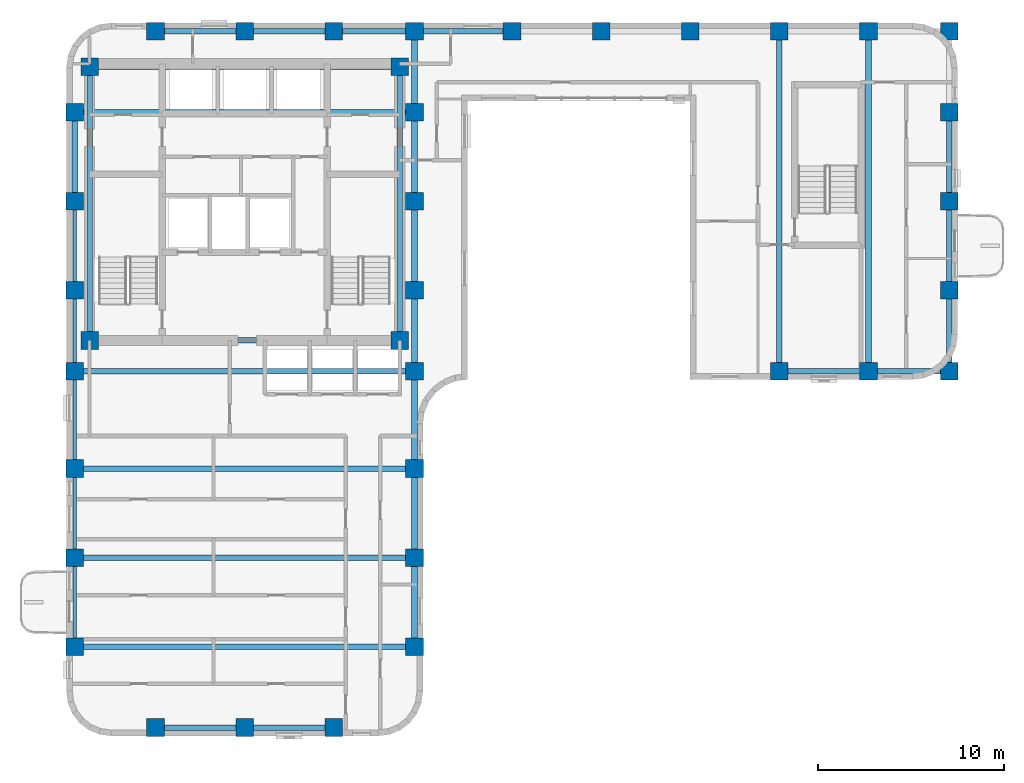
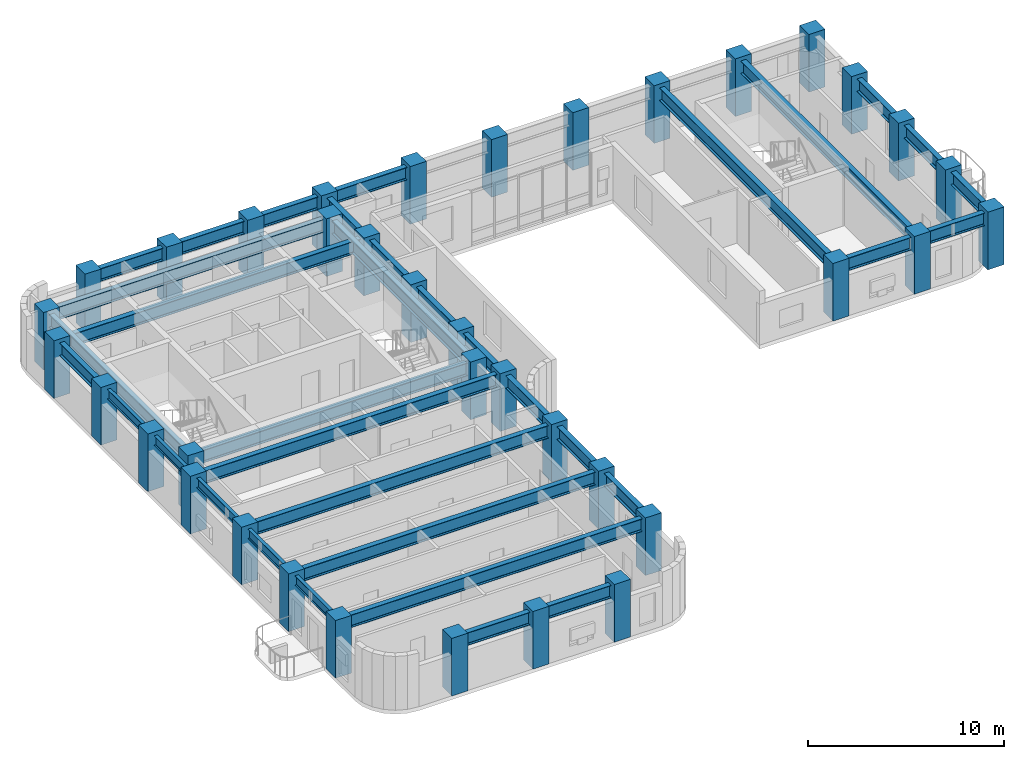
# One storey, part 1 of 11: 37 columns, 35 beams.
"""IFC4 building model written with IfcOpenShell, lengths in metres."""

from ifc_helpers import new_model, si_unit, direction, frame, origin, origin_2d, place, context, subcontext, project, spatial, rectangle, i_section, extrude, material, material_profile, profile_set, type_object, element, save


model = new_model("IFC4")

# Units and contexts
model_context = context("Model", 3, precision=1e-05, world=origin(), true_north=direction((0.0, 1.0)))
body_context = subcontext(model_context, "Body", "Model", "MODEL_VIEW")
ifc_project = project(units=[si_unit("LENGTHUNIT", "METRE"), si_unit("AREAUNIT", "SQUARE_METRE"), si_unit("VOLUMEUNIT", "CUBIC_METRE"), si_unit("PLANEANGLEUNIT", "RADIAN"), si_unit("MASSUNIT", "GRAM", prefix="KILO")], contexts=[model_context])

# Site, building, storey
site_placement = place(None, origin())
site = spatial("IfcSite", under=ifc_project, at=site_placement, CompositionType="ELEMENT")
building_placement = place(site_placement, origin())
building = spatial("IfcBuilding", under=site, at=building_placement, Name="Orvandelia Arch Residences", CompositionType="ELEMENT")
storey_placement = place(building_placement, frame((0.0, 0.0, 161.199951171875)))
storey = spatial("IfcBuildingStorey", under=building, at=storey_placement, Name="L42", CompositionType="ELEMENT", Elevation=161.199951171875)

# Columns
ifc_material_1 = material(Name="Concrete C60/75", Category="concrete")
ifc_material_profile_1 = material_profile(ifc_material_1, rectangle(XDim=0.949951171875, YDim=0.949951171875, at=origin_2d()), Name="Concrete C60/75", Category="concrete")
ifc_profile_set_1 = profile_set([ifc_material_profile_1], Name="Concrete C60/75")
column_type = type_object("IfcColumnType", Name="COL-TWR-950", PredefinedType="COLUMN", material=ifc_profile_set_1)
for number, where, z_axis, x_axis, name in (
    (1, (5.25, 14.39990234375, 0.0), (0.0, 0.0, 1.0), (1.0, 0.0, 0.0), "Structural Column L42-W-W-144"),
    (2, (5.25, 19.199951171875, 0.0), (0.0, 0.0, 1.0), (1.0, 0.0, 0.0), "Structural Column L42-W-W-192"),
    (3, (5.25, 24.0, 0.0), (0.0, 0.0, 1.0), (1.0, 0.0, 0.0), "Structural Column L42-W-W-240"),
    (4, (5.25, 29.25, 0.0), (0.0, 0.0, 1.0), (1.0, 0.0, 0.0), "Structural Column L42-W-W-292"),
    (5, (5.25, 33.60009765625, 0.0), (0.0, 0.0, 1.0), (1.0, 0.0, 0.0), "Structural Column L42-W-W-336"),
    (6, (5.25, 38.39990234375, 0.0), (0.0, 0.0, 1.0), (1.0, 0.0, 0.0), "Structural Column L42-W-W-384"),
    (7, (5.25, 43.199951171875, 0.0), (0.0, 0.0, 1.0), (1.0, 0.0, 0.0), "Structural Column L42-W-W-432"),
    (8, (6.050048828125, 30.89990234375, 0.0), (0.0, 0.0, 1.0), (1.0, 0.0, 0.0), "Structural Column L42-CR-SW"),
    (9, (6.050048828125, 45.64990234375, 0.0), (0.0, 0.0, 1.0), (1.0, 0.0, 0.0), "Structural Column L42-CR-NW"),
    (10, (9.60009765625, 10.050048828125, 0.0), (0.0, 0.0, 1.0), (1.0, 0.0, 0.0), "Structural Column L42-W-S-96"),
    (11, (9.60009765625, 47.550048828125, 0.0), (0.0, 0.0, 1.0), (1.0, 0.0, 0.0), "Structural Column L42-W-N-96"),
    (12, (14.39990234375, 10.050048828125, 0.0), (0.0, 0.0, 1.0), (1.0, 0.0, 0.0), "Structural Column L42-W-S-144"),
    (13, (14.39990234375, 47.550048828125, 0.0), (0.0, 0.0, 1.0), (1.0, 0.0, 0.0), "Structural Column L42-W-N-144"),
    (14, (19.199951171875, 10.050048828125, 0.0), (0.0, 0.0, 1.0), (1.0, 0.0, 0.0), "Structural Column L42-W-S-192"),
    (15, (19.199951171875, 47.550048828125, 0.0), (0.0, 0.0, 1.0), (1.0, 0.0, 0.0), "Structural Column L42-W-N-192"),
    (16, (22.75, 30.89990234375, 0.0), (0.0, 0.0, 1.0), (1.0, 0.0, 0.0), "Structural Column L42-CR-SE"),
    (17, (22.75, 45.64990234375, 0.0), (0.0, 0.0, 1.0), (1.0, 0.0, 0.0), "Structural Column L42-CR-NE"),
    (18, (23.550048828125, 14.39990234375, 0.0), (0.0, 0.0, 1.0), (1.0, 0.0, 0.0), "Structural Column L42-W-E-144"),
    (19, (23.550048828125, 19.199951171875, 0.0), (0.0, 0.0, 1.0), (1.0, 0.0, 0.0), "Structural Column L42-W-E-192"),
    (20, (23.550048828125, 24.0, 0.0), (0.0, 0.0, 1.0), (1.0, 0.0, 0.0), "Structural Column L42-W-E-240"),
    (21, (23.550048828125, 29.25, 0.0), (0.0, 0.0, 1.0), (1.0, 0.0, 0.0), "Structural Column L42-W-E-292"),
    (22, (23.550048828125, 33.60009765625, 0.0), (0.0, 0.0, 1.0), (1.0, 0.0, 0.0), "Structural Column L42-W-E-336"),
    (23, (23.550048828125, 38.39990234375, 0.0), (0.0, 0.0, 1.0), (1.0, 0.0, 0.0), "Structural Column L42-W-E-384"),
    (24, (23.550048828125, 43.199951171875, 0.0), (0.0, 0.0, 1.0), (1.0, 0.0, 0.0), "Structural Column L42-W-E-432"),
    (25, (23.550048828125, 47.550048828125, 0.0), (0.0, 0.0, 1.0), (1.0, 0.0, 0.0), "Structural Column L42-W-N-235"),
    (26, (28.800048828125, 47.550048828125, 0.0), (0.0, 0.0, 1.0), (1.0, 0.0, 0.0), "Structural Column L42-E-N-288"),
    (27, (33.60009765625, 47.550048828125, 0.0), (0.0, 0.0, 1.0), (1.0, 0.0, 0.0), "Structural Column L42-E-N-336"),
    (28, (38.39990234375, 47.550048828125, 0.0), (0.0, 0.0, 1.0), (1.0, 0.0, 0.0), "Structural Column L42-E-N-384"),
    (29, (43.199951171875, 29.25, 0.0), (0.0, 0.0, 1.0), (1.0, 0.0, 0.0), "Structural Column L42-E-S-432"),
    (30, (43.199951171875, 47.550048828125, 0.0), (0.0, 0.0, 1.0), (1.0, 0.0, 0.0), "Structural Column L42-E-N-432"),
    (31, (48.0, 29.25, 0.0), (0.0, 0.0, 1.0), (1.0, 0.0, 0.0), "Structural Column L42-E-S-480"),
    (32, (48.0, 47.550048828125, 0.0), (0.0, 0.0, 1.0), (1.0, 0.0, 0.0), "Structural Column L42-E-N-480"),
    (33, (52.35009765625, 29.25, 0.0), (0.0, 0.0, 1.0), (1.0, 0.0, 0.0), "Structural Column L42-E-S-523"),
    (34, (52.35009765625, 33.60009765625, 0.0), (0.0, 0.0, 1.0), (1.0, 0.0, 0.0), "Structural Column L42-E-523-336"),
    (35, (52.35009765625, 38.39990234375, 0.0), (0.0, 0.0, 1.0), (1.0, 0.0, 0.0), "Structural Column L42-E-523-384"),
    (36, (52.35009765625, 43.199951171875, 0.0), (0.0, 0.0, 1.0), (1.0, 0.0, 0.0), "Structural Column L42-E-523-432"),
    (37, (52.35009765625, 47.550048828125, 0.0), (0.0, 0.0, 1.0), (1.0, 0.0, 0.0), "Structural Column L42-E-N-523"),
):
    element("IfcColumn", number, at=place(storey_placement, frame(where, z_axis=z_axis, x_axis=x_axis)), inside=storey, type_object=column_type, Name=name, PredefinedType="COLUMN", context=body_context, shape_type="SweptSolid", body=[
        extrude(rectangle(XDim=0.949951171875, YDim=0.949951171875, at=origin_2d()), origin(), (0.0, 0.0, 1.0), 3.60009765625),
    ])

# Beams
ifc_material_2 = material(Name="Structural Steel SM355 (355 MPa)", Category="steel")
ifc_material_profile_2 = material_profile(ifc_material_2, i_section(OverallWidth=0.300048828125, OverallDepth=0.800048828125, WebThickness=0.013916015625, FlangeThickness=0.02587890625, FilletRadius=0.02587890625, at=origin_2d()), Name="Structural Steel SM355 (355 MPa)", Category="steel")
ifc_profile_set_2 = profile_set([ifc_material_profile_2], Name="Structural Steel SM355 (355 MPa)")
beam_type_1 = type_object("IfcBeamType", Name="BM-GRD-H800", PredefinedType="BEAM", material=ifc_profile_set_2)
beam_1_placement = place(storey_placement, frame((5.25, 38.39990234375, 2.9599609375), z_axis=(0.0, 1.0, 0.0), x_axis=(-1.0, 0.0, 0.0)))
element("IfcBeam", 38, at=beam_1_placement, inside=storey, type_object=beam_type_1, Name="Structural Frame Beam L42-NS-006", PredefinedType="BEAM", context=body_context, shape_type="SweptSolid", body=[
    extrude(i_section(OverallWidth=0.300048828125, OverallDepth=0.800048828125, WebThickness=0.013916015625, FlangeThickness=0.02587890625, FilletRadius=0.02587890625, at=origin_2d()), origin(), (0.0, 0.0, 1.0), 4.800048828125),
])
for number, where, z_axis, x_axis, name in (
    (39, (6.050048828125, 30.89990234375, 2.9599609375), (0.0, 1.0, 0.0), (-1.0, 0.0, 0.0), "Structural Frame Beam L42-NS-007"),
    (40, (22.75, 30.89990234375, 2.9599609375), (0.0, 1.0, 0.0), (-1.0, 0.0, 0.0), "Structural Frame Beam L42-NS-008"),
):
    element("IfcBeam", number, at=place(storey_placement, frame(where, z_axis=z_axis, x_axis=x_axis)), inside=storey, type_object=beam_type_1, Name=name, PredefinedType="BEAM", context=body_context, shape_type="SweptSolid", body=[
        extrude(i_section(OverallWidth=0.300048828125, OverallDepth=0.800048828125, WebThickness=0.013916015625, FlangeThickness=0.02587890625, FilletRadius=0.02587890625, at=origin_2d()), origin(), (0.0, 0.0, 1.0), 14.75),
    ])
for number, where, z_axis, x_axis, name in (
    (41, (23.550048828125, 14.39990234375, 2.9599609375), (0.0, 1.0, 0.0), (-1.0, 0.0, 0.0), "Structural Frame Beam L42-NS-009"),
    (42, (23.550048828125, 19.199951171875, 2.9599609375), (0.0, 1.0, 0.0), (-1.0, 0.0, 0.0), "Structural Frame Beam L42-NS-010"),
):
    element("IfcBeam", number, at=place(storey_placement, frame(where, z_axis=z_axis, x_axis=x_axis)), inside=storey, type_object=beam_type_1, Name=name, PredefinedType="BEAM", context=body_context, shape_type="SweptSolid", body=[
        extrude(i_section(OverallWidth=0.300048828125, OverallDepth=0.800048828125, WebThickness=0.013916015625, FlangeThickness=0.02587890625, FilletRadius=0.02587890625, at=origin_2d()), origin(), (0.0, 0.0, 1.0), 4.800048828125),
    ])
beam_2_placement = place(storey_placement, frame((23.550048828125, 24.0, 2.9599609375), z_axis=(0.0, 1.0, 0.0), x_axis=(-1.0, 0.0, 0.0)))
element("IfcBeam", 43, at=beam_2_placement, inside=storey, type_object=beam_type_1, Name="Structural Frame Beam L42-NS-011", PredefinedType="BEAM", context=body_context, shape_type="SweptSolid", body=[
    extrude(i_section(OverallWidth=0.300048828125, OverallDepth=0.800048828125, WebThickness=0.013916015625, FlangeThickness=0.02587890625, FilletRadius=0.02587890625, at=origin_2d()), origin(), (0.0, 0.0, 1.0), 5.25),
])
beam_3_placement = place(storey_placement, frame((23.550048828125, 29.25, 2.9599609375), z_axis=(0.0, 1.0, 0.0), x_axis=(-1.0, 0.0, 0.0)))
element("IfcBeam", 44, at=beam_3_placement, inside=storey, type_object=beam_type_1, Name="Structural Frame Beam L42-NS-012", PredefinedType="BEAM", context=body_context, shape_type="SweptSolid", body=[
    extrude(i_section(OverallWidth=0.300048828125, OverallDepth=0.800048828125, WebThickness=0.013916015625, FlangeThickness=0.02587890625, FilletRadius=0.02587890625, at=origin_2d()), origin(), (0.0, 0.0, 1.0), 4.35009765625),
])
beam_4_placement = place(storey_placement, frame((23.550048828125, 33.60009765625, 2.9599609375), z_axis=(0.0, 1.0, 0.0), x_axis=(-1.0, 0.0, 0.0)))
element("IfcBeam", 45, at=beam_4_placement, inside=storey, type_object=beam_type_1, Name="Structural Frame Beam L42-NS-013", PredefinedType="BEAM", context=body_context, shape_type="SweptSolid", body=[
    extrude(i_section(OverallWidth=0.300048828125, OverallDepth=0.800048828125, WebThickness=0.013916015625, FlangeThickness=0.02587890625, FilletRadius=0.02587890625, at=origin_2d()), origin(), (0.0, 0.0, 1.0), 4.7998046875),
])
beam_5_placement = place(storey_placement, frame((23.550048828125, 38.39990234375, 2.9599609375), z_axis=(0.0, 1.0, 0.0), x_axis=(-1.0, 0.0, 0.0)))
element("IfcBeam", 46, at=beam_5_placement, inside=storey, type_object=beam_type_1, Name="Structural Frame Beam L42-NS-014", PredefinedType="BEAM", context=body_context, shape_type="SweptSolid", body=[
    extrude(i_section(OverallWidth=0.300048828125, OverallDepth=0.800048828125, WebThickness=0.013916015625, FlangeThickness=0.02587890625, FilletRadius=0.02587890625, at=origin_2d()), origin(), (0.0, 0.0, 1.0), 4.800048828125),
])
beam_6_placement = place(storey_placement, frame((23.550048828125, 43.199951171875, 2.9599609375), z_axis=(0.0, 1.0, 0.0), x_axis=(-1.0, 0.0, 0.0)))
element("IfcBeam", 47, at=beam_6_placement, inside=storey, type_object=beam_type_1, Name="Structural Frame Beam L42-NS-015", PredefinedType="BEAM", context=body_context, shape_type="SweptSolid", body=[
    extrude(i_section(OverallWidth=0.300048828125, OverallDepth=0.800048828125, WebThickness=0.013916015625, FlangeThickness=0.02587890625, FilletRadius=0.02587890625, at=origin_2d()), origin(), (0.0, 0.0, 1.0), 4.35009765625),
])
for number, where, z_axis, x_axis, name in (
    (48, (43.199951171875, 29.25, 2.9599609375), (0.0, 1.0, 0.0), (-1.0, 0.0, 0.0), "Structural Frame Beam L42-NS-016"),
    (49, (48.0, 29.25, 2.9599609375), (0.0, 1.0, 0.0), (-1.0, 0.0, 0.0), "Structural Frame Beam L42-NS-017"),
):
    element("IfcBeam", number, at=place(storey_placement, frame(where, z_axis=z_axis, x_axis=x_axis)), inside=storey, type_object=beam_type_1, Name=name, PredefinedType="BEAM", context=body_context, shape_type="SweptSolid", body=[
        extrude(i_section(OverallWidth=0.300048828125, OverallDepth=0.800048828125, WebThickness=0.013916015625, FlangeThickness=0.02587890625, FilletRadius=0.02587890625, at=origin_2d()), origin(), (0.0, 0.0, 1.0), 18.300048828125),
    ])
beam_7_placement = place(storey_placement, frame((52.35009765625, 29.25, 2.9599609375), z_axis=(0.0, 1.0, 0.0), x_axis=(-1.0, 0.0, 0.0)))
element("IfcBeam", 50, at=beam_7_placement, inside=storey, type_object=beam_type_1, Name="Structural Frame Beam L42-NS-018", PredefinedType="BEAM", context=body_context, shape_type="SweptSolid", body=[
    extrude(i_section(OverallWidth=0.300048828125, OverallDepth=0.800048828125, WebThickness=0.013916015625, FlangeThickness=0.02587890625, FilletRadius=0.02587890625, at=origin_2d()), origin(), (0.0, 0.0, 1.0), 4.35009765625),
])
beam_8_placement = place(storey_placement, frame((52.35009765625, 33.60009765625, 2.9599609375), z_axis=(0.0, 1.0, 0.0), x_axis=(-1.0, 0.0, 0.0)))
element("IfcBeam", 51, at=beam_8_placement, inside=storey, type_object=beam_type_1, Name="Structural Frame Beam L42-NS-019", PredefinedType="BEAM", context=body_context, shape_type="SweptSolid", body=[
    extrude(i_section(OverallWidth=0.300048828125, OverallDepth=0.800048828125, WebThickness=0.013916015625, FlangeThickness=0.02587890625, FilletRadius=0.02587890625, at=origin_2d()), origin(), (0.0, 0.0, 1.0), 4.7998046875),
])
beam_9_placement = place(storey_placement, frame((52.35009765625, 38.39990234375, 2.9599609375), z_axis=(0.0, 1.0, 0.0), x_axis=(-1.0, 0.0, 0.0)))
element("IfcBeam", 52, at=beam_9_placement, inside=storey, type_object=beam_type_1, Name="Structural Frame Beam L42-NS-020", PredefinedType="BEAM", context=body_context, shape_type="SweptSolid", body=[
    extrude(i_section(OverallWidth=0.300048828125, OverallDepth=0.800048828125, WebThickness=0.013916015625, FlangeThickness=0.02587890625, FilletRadius=0.02587890625, at=origin_2d()), origin(), (0.0, 0.0, 1.0), 4.800048828125),
])
beam_10_placement = place(storey_placement, frame((9.60009765625, 10.050048828125, 2.9599609375), z_axis=(1.0, 0.0, 0.0), x_axis=(0.0, 1.0, 0.0)))
element("IfcBeam", 53, at=beam_10_placement, inside=storey, type_object=beam_type_1, Name="Structural Frame Girder L42-EW-022", PredefinedType="BEAM", context=body_context, shape_type="SweptSolid", body=[
    extrude(i_section(OverallWidth=0.300048828125, OverallDepth=0.800048828125, WebThickness=0.013916015625, FlangeThickness=0.02587890625, FilletRadius=0.02587890625, at=origin_2d()), origin(), (0.0, 0.0, 1.0), 4.7998046875),
])
beam_11_placement = place(storey_placement, frame((14.39990234375, 10.050048828125, 2.9599609375), z_axis=(1.0, 0.0, 0.0), x_axis=(0.0, 1.0, 0.0)))
element("IfcBeam", 54, at=beam_11_placement, inside=storey, type_object=beam_type_1, Name="Structural Frame Girder L42-EW-023", PredefinedType="BEAM", context=body_context, shape_type="SweptSolid", body=[
    extrude(i_section(OverallWidth=0.300048828125, OverallDepth=0.800048828125, WebThickness=0.013916015625, FlangeThickness=0.02587890625, FilletRadius=0.02587890625, at=origin_2d()), origin(), (0.0, 0.0, 1.0), 4.800048828125),
])
for number, where, z_axis, x_axis, name in (
    (55, (5.25, 14.39990234375, 2.9599609375), (1.0, 0.0, 0.0), (0.0, 1.0, 0.0), "Structural Frame Girder L42-EW-024"),
    (56, (5.25, 19.199951171875, 2.9599609375), (1.0, 0.0, 0.0), (0.0, 1.0, 0.0), "Structural Frame Girder L42-EW-025"),
    (57, (5.25, 24.0, 2.9599609375), (1.0, 0.0, 0.0), (0.0, 1.0, 0.0), "Structural Frame Girder L42-EW-026"),
    (58, (5.25, 29.25, 2.9599609375), (1.0, 0.0, 0.0), (0.0, 1.0, 0.0), "Structural Frame Girder L42-EW-027"),
):
    element("IfcBeam", number, at=place(storey_placement, frame(where, z_axis=z_axis, x_axis=x_axis)), inside=storey, type_object=beam_type_1, Name=name, PredefinedType="BEAM", context=body_context, shape_type="SweptSolid", body=[
        extrude(i_section(OverallWidth=0.300048828125, OverallDepth=0.800048828125, WebThickness=0.013916015625, FlangeThickness=0.02587890625, FilletRadius=0.02587890625, at=origin_2d()), origin(), (0.0, 0.0, 1.0), 18.300048828125),
    ])
beam_12_placement = place(storey_placement, frame((43.199951171875, 29.25, 2.9599609375), z_axis=(1.0, 0.0, 0.0), x_axis=(0.0, 1.0, 0.0)))
element("IfcBeam", 59, at=beam_12_placement, inside=storey, type_object=beam_type_1, Name="Structural Frame Girder L42-EW-028", PredefinedType="BEAM", context=body_context, shape_type="SweptSolid", body=[
    extrude(i_section(OverallWidth=0.300048828125, OverallDepth=0.800048828125, WebThickness=0.013916015625, FlangeThickness=0.02587890625, FilletRadius=0.02587890625, at=origin_2d()), origin(), (0.0, 0.0, 1.0), 4.800048828125),
])
beam_13_placement = place(storey_placement, frame((48.0, 29.25, 2.9599609375), z_axis=(1.0, 0.0, 0.0), x_axis=(0.0, 1.0, 0.0)))
element("IfcBeam", 60, at=beam_13_placement, inside=storey, type_object=beam_type_1, Name="Structural Frame Girder L42-EW-029", PredefinedType="BEAM", context=body_context, shape_type="SweptSolid", body=[
    extrude(i_section(OverallWidth=0.300048828125, OverallDepth=0.800048828125, WebThickness=0.013916015625, FlangeThickness=0.02587890625, FilletRadius=0.02587890625, at=origin_2d()), origin(), (0.0, 0.0, 1.0), 4.35009765625),
])
beam_14_placement = place(storey_placement, frame((6.050048828125, 30.89990234375, 2.9599609375), z_axis=(1.0, 0.0, 0.0), x_axis=(0.0, 1.0, 0.0)))
element("IfcBeam", 61, at=beam_14_placement, inside=storey, type_object=beam_type_1, Name="Structural Frame Girder L42-EW-030", PredefinedType="BEAM", context=body_context, shape_type="SweptSolid", body=[
    extrude(i_section(OverallWidth=0.300048828125, OverallDepth=0.800048828125, WebThickness=0.013916015625, FlangeThickness=0.02587890625, FilletRadius=0.02587890625, at=origin_2d()), origin(), (0.0, 0.0, 1.0), 16.699951171875),
])
beam_15_placement = place(storey_placement, frame((5.25, 43.199951171875, 2.9599609375), z_axis=(1.0, 0.0, 0.0), x_axis=(0.0, 1.0, 0.0)))
element("IfcBeam", 62, at=beam_15_placement, inside=storey, type_object=beam_type_1, Name="Structural Frame Girder L42-EW-033", PredefinedType="BEAM", context=body_context, shape_type="SweptSolid", body=[
    extrude(i_section(OverallWidth=0.300048828125, OverallDepth=0.800048828125, WebThickness=0.013916015625, FlangeThickness=0.02587890625, FilletRadius=0.02587890625, at=origin_2d()), origin(), (0.0, 0.0, 1.0), 18.300048828125),
])
beam_16_placement = place(storey_placement, frame((6.050048828125, 45.64990234375, 2.9599609375), z_axis=(1.0, 0.0, 0.0), x_axis=(0.0, 1.0, 0.0)))
element("IfcBeam", 63, at=beam_16_placement, inside=storey, type_object=beam_type_1, Name="Structural Frame Girder L42-EW-034", PredefinedType="BEAM", context=body_context, shape_type="SweptSolid", body=[
    extrude(i_section(OverallWidth=0.300048828125, OverallDepth=0.800048828125, WebThickness=0.013916015625, FlangeThickness=0.02587890625, FilletRadius=0.02587890625, at=origin_2d()), origin(), (0.0, 0.0, 1.0), 16.699951171875),
])
beam_17_placement = place(storey_placement, frame((9.60009765625, 47.550048828125, 2.9599609375), z_axis=(1.0, 0.0, 0.0), x_axis=(0.0, 1.0, 0.0)))
element("IfcBeam", 64, at=beam_17_placement, inside=storey, type_object=beam_type_1, Name="Structural Frame Girder L42-EW-035", PredefinedType="BEAM", context=body_context, shape_type="SweptSolid", body=[
    extrude(i_section(OverallWidth=0.300048828125, OverallDepth=0.800048828125, WebThickness=0.013916015625, FlangeThickness=0.02587890625, FilletRadius=0.02587890625, at=origin_2d()), origin(), (0.0, 0.0, 1.0), 4.7998046875),
])
beam_18_placement = place(storey_placement, frame((14.39990234375, 47.550048828125, 2.9599609375), z_axis=(1.0, 0.0, 0.0), x_axis=(0.0, 1.0, 0.0)))
element("IfcBeam", 65, at=beam_18_placement, inside=storey, type_object=beam_type_1, Name="Structural Frame Girder L42-EW-036", PredefinedType="BEAM", context=body_context, shape_type="SweptSolid", body=[
    extrude(i_section(OverallWidth=0.300048828125, OverallDepth=0.800048828125, WebThickness=0.013916015625, FlangeThickness=0.02587890625, FilletRadius=0.02587890625, at=origin_2d()), origin(), (0.0, 0.0, 1.0), 4.800048828125),
])
beam_19_placement = place(storey_placement, frame((19.199951171875, 47.550048828125, 2.9599609375), z_axis=(1.0, 0.0, 0.0), x_axis=(0.0, 1.0, 0.0)))
element("IfcBeam", 66, at=beam_19_placement, inside=storey, type_object=beam_type_1, Name="Structural Frame Girder L42-EW-037", PredefinedType="BEAM", context=body_context, shape_type="SweptSolid", body=[
    extrude(i_section(OverallWidth=0.300048828125, OverallDepth=0.800048828125, WebThickness=0.013916015625, FlangeThickness=0.02587890625, FilletRadius=0.02587890625, at=origin_2d()), origin(), (0.0, 0.0, 1.0), 4.35009765625),
])
beam_20_placement = place(storey_placement, frame((23.550048828125, 47.550048828125, 2.9599609375), z_axis=(1.0, 0.0, 0.0), x_axis=(0.0, 1.0, 0.0)))
element("IfcBeam", 67, at=beam_20_placement, inside=storey, type_object=beam_type_1, Name="Structural Frame Girder L42-EW-038", PredefinedType="BEAM", context=body_context, shape_type="SweptSolid", body=[
    extrude(i_section(OverallWidth=0.300048828125, OverallDepth=0.800048828125, WebThickness=0.013916015625, FlangeThickness=0.02587890625, FilletRadius=0.02587890625, at=origin_2d()), origin(), (0.0, 0.0, 1.0), 5.25),
])
ifc_material_profile_3 = material_profile(ifc_material_2, i_section(OverallWidth=0.199951171875, OverallDepth=0.60009765625, WebThickness=0.010986328125, FlangeThickness=0.01708984375, FilletRadius=0.02197265625, at=origin_2d()), Name="Structural Steel SM355 (355 MPa)", Category="steel")
ifc_profile_set_3 = profile_set([ifc_material_profile_3], Name="Structural Steel SM355 (355 MPa)")
beam_type_2 = type_object("IfcBeamType", Name="BM-SPN-H600", PredefinedType="SPANDREL", material=ifc_profile_set_3)
for number, where, z_axis, x_axis, name in (
    (68, (5.25, 14.39990234375, 3.06005859375), (0.0, 1.0, 0.0), (-1.0, 0.0, 0.0), "Structural Frame Beam L42-NS-001"),
    (69, (5.25, 19.199951171875, 3.06005859375), (0.0, 1.0, 0.0), (-1.0, 0.0, 0.0), "Structural Frame Beam L42-NS-002"),
):
    element("IfcBeam", number, at=place(storey_placement, frame(where, z_axis=z_axis, x_axis=x_axis)), inside=storey, type_object=beam_type_2, Name=name, PredefinedType="SPANDREL", context=body_context, shape_type="SweptSolid", body=[
        extrude(i_section(OverallWidth=0.199951171875, OverallDepth=0.60009765625, WebThickness=0.010986328125, FlangeThickness=0.01708984375, FilletRadius=0.02197265625, at=origin_2d()), origin(), (0.0, 0.0, 1.0), 4.800048828125),
    ])
beam_21_placement = place(storey_placement, frame((5.25, 24.0, 3.06005859375), z_axis=(0.0, 1.0, 0.0), x_axis=(-1.0, 0.0, 0.0)))
element("IfcBeam", 70, at=beam_21_placement, inside=storey, type_object=beam_type_2, Name="Structural Frame Beam L42-NS-003", PredefinedType="SPANDREL", context=body_context, shape_type="SweptSolid", body=[
    extrude(i_section(OverallWidth=0.199951171875, OverallDepth=0.60009765625, WebThickness=0.010986328125, FlangeThickness=0.01708984375, FilletRadius=0.02197265625, at=origin_2d()), origin(), (0.0, 0.0, 1.0), 5.25),
])
beam_22_placement = place(storey_placement, frame((5.25, 29.25, 3.06005859375), z_axis=(0.0, 1.0, 0.0), x_axis=(-1.0, 0.0, 0.0)))
element("IfcBeam", 71, at=beam_22_placement, inside=storey, type_object=beam_type_2, Name="Structural Frame Beam L42-NS-004", PredefinedType="SPANDREL", context=body_context, shape_type="SweptSolid", body=[
    extrude(i_section(OverallWidth=0.199951171875, OverallDepth=0.60009765625, WebThickness=0.010986328125, FlangeThickness=0.01708984375, FilletRadius=0.02197265625, at=origin_2d()), origin(), (0.0, 0.0, 1.0), 4.35009765625),
])
beam_23_placement = place(storey_placement, frame((5.25, 33.60009765625, 3.06005859375), z_axis=(0.0, 1.0, 0.0), x_axis=(-1.0, 0.0, 0.0)))
element("IfcBeam", 72, at=beam_23_placement, inside=storey, type_object=beam_type_2, Name="Structural Frame Beam L42-NS-005", PredefinedType="SPANDREL", context=body_context, shape_type="SweptSolid", body=[
    extrude(i_section(OverallWidth=0.199951171875, OverallDepth=0.60009765625, WebThickness=0.010986328125, FlangeThickness=0.01708984375, FilletRadius=0.02197265625, at=origin_2d()), origin(), (0.0, 0.0, 1.0), 4.7998046875),
])

save(model, "model.ifc")
